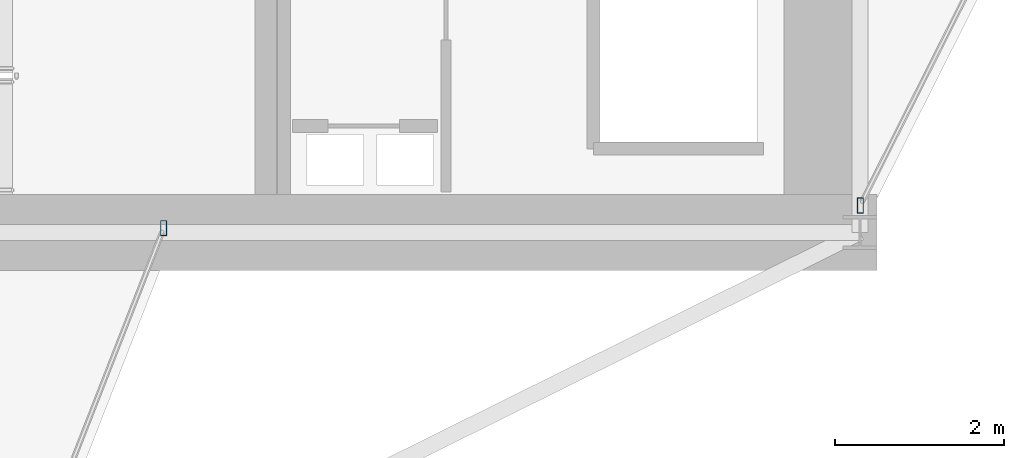
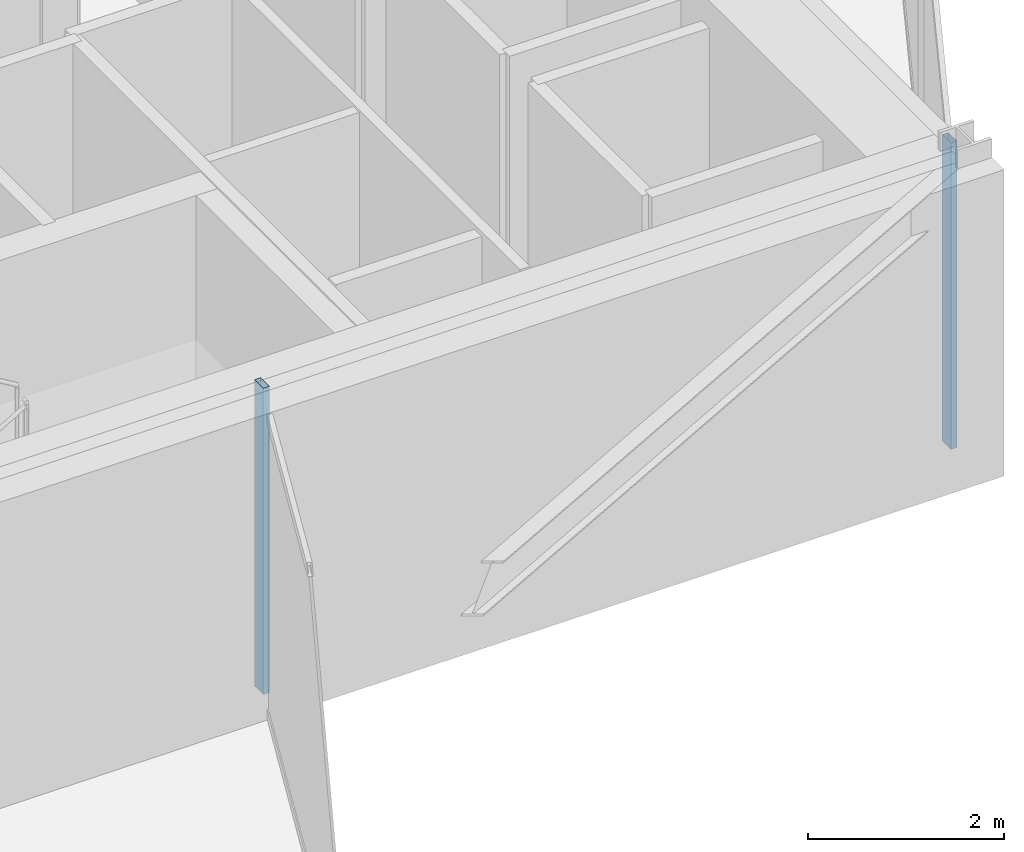
# One storey, part 16 of 30: 2 members, 2 elements without a shape of their own.
"""IFC4 building model written with IfcOpenShell, lengths in metres."""

from ifc_helpers import new_model, si_unit, direction, frame, origin, origin_2d, place, context, subcontext, project, spatial, hollow_rectangle, extrude, material, layer, layer_set, material_profile, profile_set, type_object, element, aggregate, save


model = new_model("IFC4")

# Units and contexts
model_context = context("Model", 3, precision=1e-05, world=origin(), true_north=direction((0.0, 1.0)))
body_context = subcontext(model_context, "Body", "Model", "MODEL_VIEW")
ifc_project = project(units=[si_unit("LENGTHUNIT", "METRE"), si_unit("AREAUNIT", "SQUARE_METRE"), si_unit("VOLUMEUNIT", "CUBIC_METRE"), si_unit("PLANEANGLEUNIT", "RADIAN"), si_unit("MASSUNIT", "GRAM", prefix="KILO")], contexts=[model_context])

# Site, building, storey
site_placement = place(None, origin())
site = spatial("IfcSite", under=ifc_project, at=site_placement, CompositionType="ELEMENT")
building_placement = place(site_placement, origin())
building = spatial("IfcBuilding", under=site, at=building_placement, Name="Veymaron Broadcast Tower", CompositionType="ELEMENT")
storey_placement = place(building_placement, frame((0.0, 0.0, 49.949951171875)))
storey = spatial("IfcBuildingStorey", under=building, at=storey_placement, Name="L10", CompositionType="ELEMENT", Elevation=49.949951171875)

# Curtain wall, member
ifc_material_1 = material(Name="Anodised aluminium AA 6063-T6 and laminated low-E dark glass", Category="aluminium")
ifc_layer = layer(ifc_material_1, 0.179931640625)
ifc_layer_set = layer_set([ifc_layer], Name="Anodised aluminium AA 6063-T6 and laminated low-E dark glass")
curtain_wall_type = type_object("IfcCurtainWallType", Name="CW-SYS-02", PredefinedType="NOTDEFINED", material=ifc_layer_set)
curtain_wall_1_placement = place(storey_placement, origin())
curtain_wall_1 = element("IfcCurtainWall", 1, at=curtain_wall_1_placement, inside=storey, type_object=curtain_wall_type, Name="L10 dark-glass curtain wall CW-L10-E2-1", PredefinedType="NOTDEFINED")
ifc_material_2 = material(Name="Anodised aluminium AA 6063-T6", Category="aluminium")
ifc_material_profile = material_profile(ifc_material_2, hollow_rectangle(XDim=0.074951171875, YDim=0.179931640625, WallThickness=0.0048828125, at=origin_2d()), Name="AL180X75X5")
ifc_profile_set = profile_set([ifc_material_profile], Name="Anodised aluminium AA 6063-T6")
member_type = type_object("IfcMemberType", Name="CW-MUL-02", PredefinedType="MULLION", material=ifc_profile_set)
member_1_placement = place(storey_placement, frame((54.60400390625, 16.318603515625, 0.0), z_axis=(0.0, 0.0, 1.0), x_axis=(1.0, 0.0, 0.0)))
member_1 = element("IfcMember", 2, at=member_1_placement, type_object=member_type, Name="CW-L10-E2-1 mullion 0", PredefinedType="MULLION", context=body_context, shape_type="SweptSolid", body=[
    extrude(hollow_rectangle(XDim=0.074951171875, YDim=0.179931640625, WallThickness=0.0048828125, at=origin_2d()), origin(), (0.0, 0.0, 1.0), 3.81005859375),
])
aggregate(curtain_wall_1, [member_1])

curtain_wall_2_placement = place(storey_placement, origin())
curtain_wall_2 = element("IfcCurtainWall", 3, at=curtain_wall_2_placement, inside=storey, type_object=curtain_wall_type, Name="L10 dark-glass curtain wall CW-L10-E20-1", PredefinedType="NOTDEFINED")
member_2_placement = place(storey_placement, frame((46.356689453125, 16.051025390625, 0.0), z_axis=(0.0, 0.0, 1.0), x_axis=(1.0, 0.0, 0.0)))
member_2 = element("IfcMember", 4, at=member_2_placement, type_object=member_type, Name="CW-L10-E20-1 mullion 2", PredefinedType="MULLION", context=body_context, shape_type="SweptSolid", body=[
    extrude(hollow_rectangle(XDim=0.074951171875, YDim=0.179931640625, WallThickness=0.0048828125, at=origin_2d()), origin(), (0.0, 0.0, 1.0), 3.81005859375),
])
aggregate(curtain_wall_2, [member_2])

save(model, "model.ifc")
